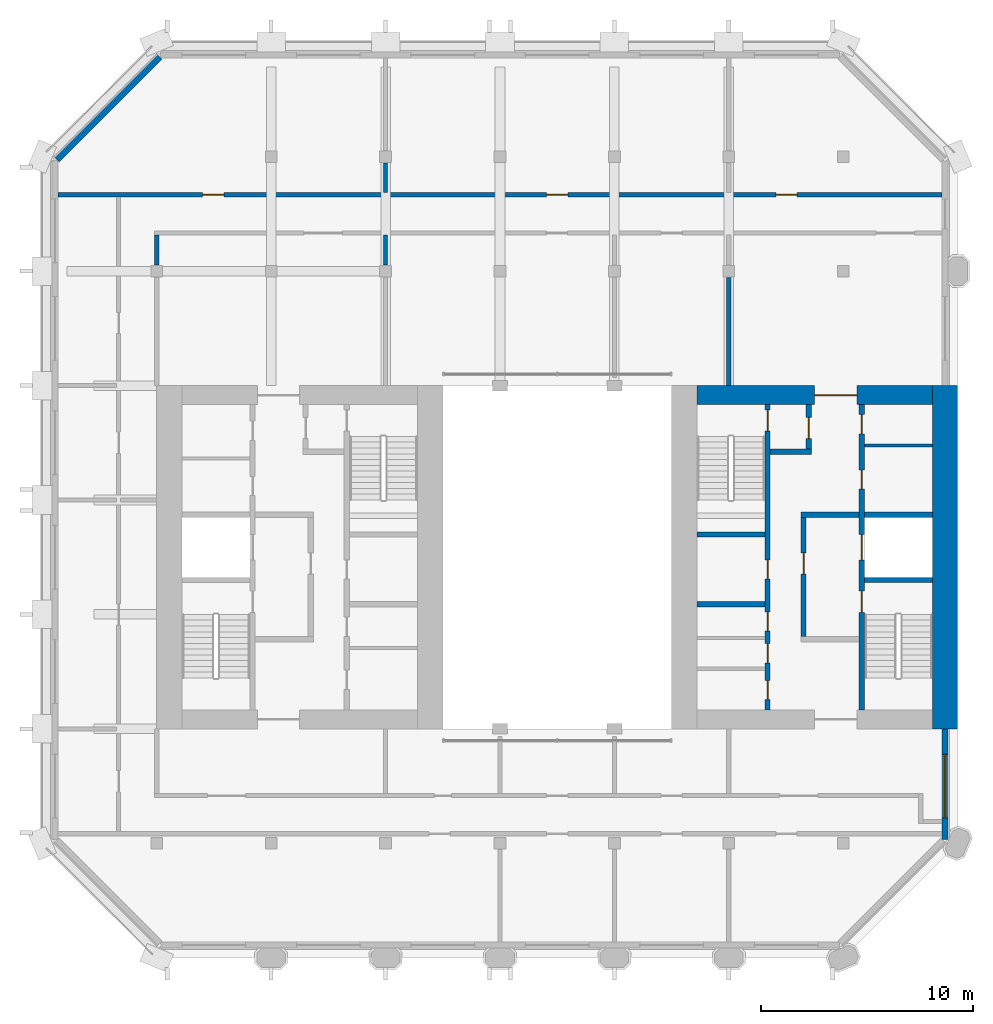
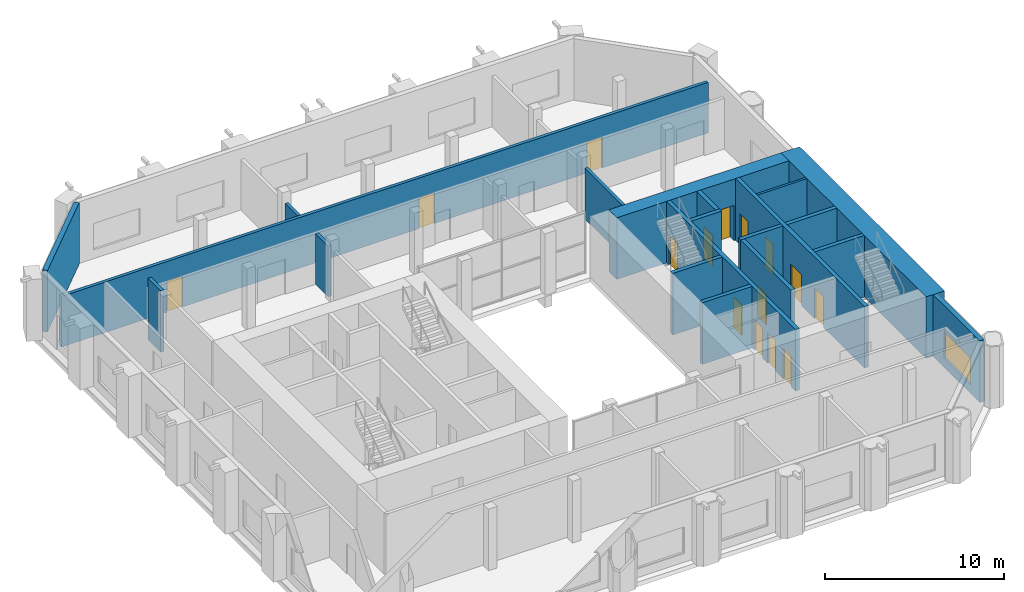
# One storey, part 8 of 12: 20 walls, 15 doors, 1 window, 16 openings.
"""IFC4 building model written with IfcOpenShell, lengths in metres."""

from ifc_helpers import new_model, si_unit, direction, frame, frame_2d, origin, place, context, subcontext, project, spatial, polyline, rectangle, outline, extrude, material, layer, layer_set, type_object, element, fill, save


model = new_model("IFC4")

# Units and contexts
model_context = context("Model", 3, precision=1e-05, world=origin(), true_north=direction((0.0, 1.0)))
body_context = subcontext(model_context, "Body", "Model", "MODEL_VIEW")
ifc_project = project(units=[si_unit("LENGTHUNIT", "METRE"), si_unit("AREAUNIT", "SQUARE_METRE"), si_unit("VOLUMEUNIT", "CUBIC_METRE"), si_unit("PLANEANGLEUNIT", "RADIAN"), si_unit("MASSUNIT", "GRAM", prefix="KILO")], contexts=[model_context])

# Site, building, storey
site_placement = place(None, origin())
site = spatial("IfcSite", under=ifc_project, at=site_placement, CompositionType="ELEMENT")
building_placement = place(site_placement, origin())
building = spatial("IfcBuilding", under=site, at=building_placement, Name="Tabaq Tower and Sports Hall", CompositionType="ELEMENT")
storey_placement = place(building_placement, frame((0.0, 0.0, 317.199951171875)))
storey = spatial("IfcBuildingStorey", under=building, at=storey_placement, Name="L79", CompositionType="ELEMENT", Elevation=317.199951171875)

# Walls
ifc_material_1 = material(Name="Blockwork", Category="masonry")
ifc_layer_1 = layer(ifc_material_1, 0.14990234375)
ifc_layer_set_1 = layer_set([ifc_layer_1], Name="Core room partition 150 Blockwork")
wall_type_1 = type_object("IfcWallType", Name="Core room partition 150 Blockwork", PredefinedType="PARTITIONING", material=ifc_layer_set_1)
wall_1_placement = place(storey_placement, frame((38.800048828125, 29.571044921875, 0.0), z_axis=(0.0, 0.0, 1.0), x_axis=(1.0, 0.0, 0.0)))
element("IfcWall", 1, at=wall_1_placement, inside=storey, type_object=wall_type_1, Name="Core room partition E L79", PredefinedType="PARTITIONING", context=body_context, shape_type="SweptSolid", body=[
    extrude(rectangle(XDim=3.199951171875, YDim=0.14990234375, at=frame_2d((1.60009765625, 0.0))), origin(), (0.0, 0.0, 1.0), 4.199951171875),
])
ifc_material_2 = material(Name="Concrete C40/50", Category="concrete")
ifc_layer_2 = layer(ifc_material_2, 1.199951171875)
ifc_layer_set_2 = layer_set([ifc_layer_2], Name="Core wall 1200 Concrete C40/50")
wall_type_2 = type_object("IfcWallType", Name="Core wall 1200 Concrete C40/50", PredefinedType="SOLIDWALL", material=ifc_layer_set_2)
wall_2_placement = place(storey_placement, frame((42.60009765625, 32.39990234375, 0.0), z_axis=(0.0, 0.0, 1.0), x_axis=(0.0, -1.0, 0.0)))
element("IfcWall", 2, at=wall_2_placement, inside=storey, type_object=wall_type_2, Name="Core wall E L79", PredefinedType="SOLIDWALL", context=body_context, shape_type="SweptSolid", body=[
    extrude(rectangle(XDim=16.199951171875, YDim=1.199951171875, at=frame_2d((8.10009765625, 0.0))), origin(), (0.0, 0.0, 1.0), 4.199951171875),
])

# Wall, opening, door
ifc_material_3 = material(Name="Concrete C40/50", Category="concrete")
ifc_layer_3 = layer(ifc_material_3, 0.89990234375)
ifc_layer_set_3 = layer_set([ifc_layer_3], Name="Core wall 900 Concrete C40/50")
wall_type_3 = type_object("IfcWallType", Name="Core wall 900 Concrete C40/50", PredefinedType="SOLIDWALL", material=ifc_layer_set_3)
wall_3_placement = place(storey_placement, frame((30.89990234375, 31.949951171875, 0.0), z_axis=(0.0, 0.0, 1.0), x_axis=(1.0, 0.0, 0.0)))
wall_3 = element("IfcWall", 3, at=wall_3_placement, inside=storey, type_object=wall_type_3, Name="Core wall E L79", PredefinedType="SOLIDWALL", context=body_context, shape_type="SweptSolid", body=[
    extrude(rectangle(XDim=11.10009765625, YDim=0.89990234375, at=frame_2d((5.550048828125, 0.0))), origin(), (0.0, 0.0, 1.0), 4.199951171875),
])
opening_1_placement = place(wall_3_placement, frame((5.550048828125, 0.0, 0.0)))
opening_1 = element("IfcOpeningElement", 4, at=opening_1_placement, cuts=wall_3, Name="Opening PD-EL79-02", PredefinedType="OPENING", context=body_context, shape_type="SweptSolid", body=[
    extrude(rectangle(XDim=2.0, YDim=2.39990234375, at=frame_2d((1.0, 1.199951171875))), frame((0.0, 0.449951171875, 0.0), z_axis=(0.0, -1.0, 0.0), x_axis=(1.0, 0.0, 0.0)), (0.0, 0.0, 1.0), 0.89990234375),
])
ifc_material_4 = material(Name="Steel fire door", Category="steel")
door_type_1 = type_object("IfcDoorType", Name="Core entrance door 2000", OperationType="DOUBLE_DOOR_SINGLE_SWING", PredefinedType="DOOR", material=ifc_material_4)
door_1_placement = place(opening_1_placement, origin())
door_1 = element("IfcDoor", 5, at=door_1_placement, inside=storey, type_object=door_type_1, Name="Core entrance north E L79", OperationType="DOUBLE_DOOR_SINGLE_SWING", OverallHeight=2.39990234375, OverallWidth=2.0, PredefinedType="DOOR", context=body_context, shape_type="SweptSolid", body=[
    extrude(rectangle(XDim=2.0, YDim=2.39990234375, at=frame_2d((1.0, 1.199951171875))), frame((0.0, 0.02490234375, 0.0), z_axis=(0.0, -1.0, 0.0), x_axis=(1.0, 0.0, 0.0)), (0.0, 0.0, 1.0), 0.050048828125),
])
fill(opening_1, door_1)

# Wall
ifc_material_5 = material(Name="Blockwork", Category="masonry")
ifc_layer_4 = layer(ifc_material_5, 0.199951171875)
ifc_layer_set_4 = layer_set([ifc_layer_4], Name="Fire compartment wall 200 Blockwork")
wall_type_4 = type_object("IfcWallType", Name="Fire compartment wall 200 Blockwork", PredefinedType="PARTITIONING", material=ifc_layer_set_4)
wall_4_placement = place(storey_placement, frame((16.199951171875, 42.905029296875, 0.0), z_axis=(0.0, 0.0, 1.0), x_axis=(0.0, -1.0, 0.0)))
element("IfcWall", 6, at=wall_4_placement, inside=storey, type_object=wall_type_4, Name="Compartment wall L79", PredefinedType="PARTITIONING", context=body_context, shape_type="SweptSolid", body=[
    extrude(rectangle(XDim=1.405029296875, YDim=0.199951171875, at=frame_2d((0.70263671875, 0.0))), origin(), (0.0, 0.0, 1.0), 3.449951171875),
])

# Wall, openings, doors
wall_5_placement = place(storey_placement, frame((42.448974609375, 41.39990234375, 0.0), z_axis=(0.0, 0.0, 1.0), x_axis=(-1.0, 0.0, 0.0)))
wall_5 = element("IfcWall", 7, at=wall_5_placement, inside=storey, type_object=wall_type_4, Name="Compartment wall L79", PredefinedType="PARTITIONING", context=body_context, shape_type="SweptSolid", body=[
    extrude(rectangle(XDim=41.697998046875, YDim=0.199951171875, at=frame_2d((20.84912109375, 0.0))), origin(), (0.0, 0.0, 1.0), 3.449951171875),
])
opening_2_placement = place(wall_5_placement, frame((6.83203125, 0.0, 0.0)))
opening_2 = element("IfcOpeningElement", 8, at=opening_2_placement, cuts=wall_5, Name="Opening L79-002", PredefinedType="OPENING", context=body_context, shape_type="SweptSolid", body=[
    extrude(rectangle(XDim=1.0, YDim=2.10009765625, at=frame_2d((0.5, 1.050048828125))), frame((0.0, 0.10009765625, 0.0), z_axis=(0.0, -1.0, 0.0), x_axis=(1.0, 0.0, 0.0)), (0.0, 0.0, 1.0), 0.199951171875),
])
opening_3_placement = place(wall_5_placement, frame((17.64892578125, 0.0, 0.0)))
opening_3 = element("IfcOpeningElement", 9, at=opening_3_placement, cuts=wall_5, Name="Opening L79-003", PredefinedType="OPENING", context=body_context, shape_type="SweptSolid", body=[
    extrude(rectangle(XDim=1.0, YDim=2.10009765625, at=frame_2d((0.5, 1.050048828125))), frame((0.0, 0.10009765625, 0.0), z_axis=(0.0, -1.0, 0.0), x_axis=(1.0, 0.0, 0.0)), (0.0, 0.0, 1.0), 0.199951171875),
])
opening_4_placement = place(wall_5_placement, frame((33.882080078125, 0.0, 0.0)))
opening_4 = element("IfcOpeningElement", 10, at=opening_4_placement, cuts=wall_5, Name="Opening L79-004", PredefinedType="OPENING", context=body_context, shape_type="SweptSolid", body=[
    extrude(rectangle(XDim=1.0, YDim=2.10009765625, at=frame_2d((0.5, 1.050048828125))), frame((0.0, 0.10009765625, 0.0), z_axis=(0.0, -1.0, 0.0), x_axis=(1.0, 0.0, 0.0)), (0.0, 0.0, 1.0), 0.199951171875),
])
ifc_material_6 = material(Name="Steel fire door", Category="steel")
door_type_2 = type_object("IfcDoorType", Name="Plant room door 1000 left hand", OperationType="SINGLE_SWING_LEFT", PredefinedType="DOOR", material=ifc_material_6)
door_2_placement = place(opening_3_placement, origin())
door_2 = element("IfcDoor", 11, at=door_2_placement, inside=storey, type_object=door_type_2, Name="Plant room door L79-003", OperationType="SINGLE_SWING_LEFT", OverallHeight=2.10009765625, OverallWidth=1.0, PredefinedType="DOOR", context=body_context, shape_type="SweptSolid", body=[
    extrude(rectangle(XDim=1.0, YDim=2.10009765625, at=frame_2d((0.5, 1.050048828125))), frame((0.0, 0.02490234375, 0.0), z_axis=(0.0, -1.0, 0.0), x_axis=(1.0, 0.0, 0.0)), (0.0, 0.0, 1.0), 0.050048828125),
])
fill(opening_3, door_2)
door_3_placement = place(opening_4_placement, origin())
door_3 = element("IfcDoor", 12, at=door_3_placement, inside=storey, type_object=door_type_2, Name="Plant room door L79-004", OperationType="SINGLE_SWING_LEFT", OverallHeight=2.10009765625, OverallWidth=1.0, PredefinedType="DOOR", context=body_context, shape_type="SweptSolid", body=[
    extrude(rectangle(XDim=1.0, YDim=2.10009765625, at=frame_2d((0.5, 1.050048828125))), frame((0.0, 0.02490234375, 0.0), z_axis=(0.0, -1.0, 0.0), x_axis=(1.0, 0.0, 0.0)), (0.0, 0.0, 1.0), 0.050048828125),
])
fill(opening_4, door_3)
ifc_material_7 = material(Name="Steel fire door", Category="steel")
door_type_3 = type_object("IfcDoorType", Name="Plant room door 1000 right hand", OperationType="SINGLE_SWING_RIGHT", PredefinedType="DOOR", material=ifc_material_7)
door_4_placement = place(opening_2_placement, origin())
door_4 = element("IfcDoor", 13, at=door_4_placement, inside=storey, type_object=door_type_3, Name="Plant room door L79-002", OperationType="SINGLE_SWING_RIGHT", OverallHeight=2.10009765625, OverallWidth=1.0, PredefinedType="DOOR", context=body_context, shape_type="SweptSolid", body=[
    extrude(rectangle(XDim=1.0, YDim=2.10009765625, at=frame_2d((0.5, 1.050048828125))), frame((0.0, 0.02490234375, 0.0), z_axis=(0.0, -1.0, 0.0), x_axis=(1.0, 0.0, 0.0)), (0.0, 0.0, 1.0), 0.050048828125),
])
fill(opening_2, door_4)

# Walls
wall_6_placement = place(storey_placement, frame((32.39990234375, 32.39990234375, 0.0), z_axis=(0.0, 0.0, 1.0), x_axis=(0.0, 1.0, 0.0)))
element("IfcWall", 14, at=wall_6_placement, inside=storey, type_object=wall_type_4, Name="Compartment wall L79", PredefinedType="PARTITIONING", context=body_context, shape_type="SweptSolid", body=[
    extrude(rectangle(XDim=5.10498046875, YDim=0.199951171875, at=frame_2d((2.552490234375, 0.0))), origin(), (0.0, 0.0, 1.0), 3.449951171875),
])
wall_7_placement = place(storey_placement, frame((16.199951171875, 39.5, 0.0), z_axis=(0.0, 0.0, 1.0), x_axis=(0.0, -1.0, 0.0)))
element("IfcWall", 15, at=wall_7_placement, inside=storey, type_object=wall_type_4, Name="Compartment wall L79", PredefinedType="PARTITIONING", context=body_context, shape_type="SweptSolid", body=[
    extrude(rectangle(XDim=1.405029296875, YDim=0.199951171875, at=frame_2d((0.70263671875, 0.0))), origin(), (0.0, 0.0, 1.0), 3.449951171875),
])
wall_8_placement = place(storey_placement, frame((5.39990234375, 39.5, 0.0), z_axis=(0.0, 0.0, 1.0), x_axis=(0.0, -1.0, 0.0)))
element("IfcWall", 16, at=wall_8_placement, inside=storey, type_object=wall_type_4, Name="Compartment wall L79", PredefinedType="PARTITIONING", context=body_context, shape_type="SweptSolid", body=[
    extrude(rectangle(XDim=1.405029296875, YDim=0.199951171875, at=frame_2d((0.70263671875, 0.0))), origin(), (0.0, 0.0, 1.0), 4.199951171875),
])

# Wall, openings, doors
ifc_material_8 = material(Name="Concrete C40/50", Category="concrete")
ifc_layer_5 = layer(ifc_material_8, 0.25)
ifc_layer_set_5 = layer_set([ifc_layer_5], Name="Shaft and stair wall 250 Concrete C40/50")
wall_type_5 = type_object("IfcWallType", Name="Shaft and stair wall 250 Concrete C40/50", PredefinedType="SOLIDWALL", material=ifc_layer_set_5)
wall_9_placement = place(storey_placement, frame((38.675048828125, 17.10009765625, 0.0), z_axis=(0.0, 0.0, 1.0), x_axis=(0.0, 1.0, 0.0)))
wall_9 = element("IfcWall", 17, at=wall_9_placement, inside=storey, type_object=wall_type_5, Name="Shaft wall E L79", PredefinedType="SOLIDWALL", context=body_context, shape_type="SweptSolid", body=[
    extrude(rectangle(XDim=14.39990234375, YDim=0.25, at=frame_2d((7.199951171875, 0.0))), origin(), (0.0, 0.0, 1.0), 4.199951171875),
])
opening_5_placement = place(wall_9_placement, frame((4.60009765625, 0.0, 0.0)))
opening_5 = element("IfcOpeningElement", 18, at=opening_5_placement, cuts=wall_9, Name="Opening SD-EL79-03", PredefinedType="OPENING", context=body_context, shape_type="SweptSolid", body=[
    extrude(rectangle(XDim=1.0, YDim=2.10009765625, at=frame_2d((0.5, 1.050048828125))), frame((0.0, 0.125, 0.0), z_axis=(0.0, -1.0, 0.0), x_axis=(1.0, 0.0, 0.0)), (0.0, 0.0, 1.0), 0.25),
])
opening_6_placement = place(wall_9_placement, frame((7.0625, 0.0, 0.0)))
opening_6 = element("IfcOpeningElement", 19, at=opening_6_placement, cuts=wall_9, Name="Opening LD-FF2-L79", PredefinedType="OPENING", context=body_context, shape_type="SweptSolid", body=[
    extrude(rectangle(XDim=1.199951171875, YDim=2.10009765625, at=frame_2d((0.60009765625, 1.050048828125))), frame((0.0, 0.125, 0.0), z_axis=(0.0, -1.0, 0.0), x_axis=(1.0, 0.0, 0.0)), (0.0, 0.0, 1.0), 0.25),
])
opening_7_placement = place(wall_9_placement, frame((10.410400390625, 0.0, 0.0)))
opening_7 = element("IfcOpeningElement", 20, at=opening_7_placement, cuts=wall_9, Name="Opening RD-EL79-08", PredefinedType="OPENING", context=body_context, shape_type="SweptSolid", body=[
    extrude(rectangle(XDim=0.89990234375, YDim=2.10009765625, at=frame_2d((0.449951171875, 1.050048828125))), frame((0.0, 0.125, 0.0), z_axis=(0.0, -1.0, 0.0), x_axis=(1.0, 0.0, 0.0)), (0.0, 0.0, 1.0), 0.25),
])
opening_8_placement = place(wall_9_placement, frame((13.02294921875, 0.0, 0.0)))
opening_8 = element("IfcOpeningElement", 21, at=opening_8_placement, cuts=wall_9, Name="Opening RD-EL79-09", PredefinedType="OPENING", context=body_context, shape_type="SweptSolid", body=[
    extrude(rectangle(XDim=0.89990234375, YDim=2.10009765625, at=frame_2d((0.449951171875, 1.050048828125))), frame((0.0, 0.125, 0.0), z_axis=(0.0, -1.0, 0.0), x_axis=(1.0, 0.0, 0.0)), (0.0, 0.0, 1.0), 0.25),
])
ifc_material_9 = material(Name="Steel fire door", Category="steel")
door_type_4 = type_object("IfcDoorType", Name="Core room door 900", OperationType="SINGLE_SWING_LEFT", PredefinedType="DOOR", material=ifc_material_9)
door_5_placement = place(opening_7_placement, origin())
door_5 = element("IfcDoor", 22, at=door_5_placement, inside=storey, type_object=door_type_4, Name="Door Electrical Room E L79", OperationType="SINGLE_SWING_LEFT", OverallHeight=2.10009765625, OverallWidth=0.89990234375, PredefinedType="DOOR", context=body_context, shape_type="SweptSolid", body=[
    extrude(rectangle(XDim=0.89990234375, YDim=2.10009765625, at=frame_2d((0.449951171875, 1.050048828125))), frame((0.0, 0.02490234375, 0.0), z_axis=(0.0, -1.0, 0.0), x_axis=(1.0, 0.0, 0.0)), (0.0, 0.0, 1.0), 0.050048828125),
])
fill(opening_7, door_5)
door_6_placement = place(opening_8_placement, origin())
door_6 = element("IfcDoor", 23, at=door_6_placement, inside=storey, type_object=door_type_4, Name="Door Comms Room E L79", OperationType="SINGLE_SWING_LEFT", OverallHeight=2.10009765625, OverallWidth=0.89990234375, PredefinedType="DOOR", context=body_context, shape_type="SweptSolid", body=[
    extrude(rectangle(XDim=0.89990234375, YDim=2.10009765625, at=frame_2d((0.449951171875, 1.050048828125))), frame((0.0, 0.02490234375, 0.0), z_axis=(0.0, -1.0, 0.0), x_axis=(1.0, 0.0, 0.0)), (0.0, 0.0, 1.0), 0.050048828125),
])
fill(opening_8, door_6)
ifc_material_10 = material(Name="Stainless steel", Category="steel")
door_type_5 = type_object("IfcDoorType", Name="Lift landing door 1200", OperationType="DOUBLE_DOOR_SLIDING", PredefinedType="DOOR", material=ifc_material_10)
door_7_placement = place(opening_6_placement, origin())
door_7 = element("IfcDoor", 24, at=door_7_placement, inside=storey, type_object=door_type_5, Name="Lift landing door FF2 E L79", OperationType="DOUBLE_DOOR_SLIDING", OverallHeight=2.10009765625, OverallWidth=1.199951171875, PredefinedType="DOOR", context=body_context, shape_type="SweptSolid", body=[
    extrude(rectangle(XDim=1.199951171875, YDim=2.10009765625, at=frame_2d((0.60009765625, 1.050048828125))), frame((0.0, 0.02490234375, 0.0), z_axis=(0.0, -1.0, 0.0), x_axis=(1.0, 0.0, 0.0)), (0.0, 0.0, 1.0), 0.050048828125),
])
fill(opening_6, door_7)
ifc_material_11 = material(Name="Steel fire door", Category="steel")
door_type_6 = type_object("IfcDoorType", Name="Stair door 1000", OperationType="SINGLE_SWING_LEFT", PredefinedType="DOOR", material=ifc_material_11)
door_8_placement = place(opening_5_placement, origin())
door_8 = element("IfcDoor", 25, at=door_8_placement, inside=storey, type_object=door_type_6, Name="Stair door ST3 E L79", OperationType="SINGLE_SWING_LEFT", OverallHeight=2.10009765625, OverallWidth=1.0, PredefinedType="DOOR", context=body_context, shape_type="SweptSolid", body=[
    extrude(rectangle(XDim=1.0, YDim=2.10009765625, at=frame_2d((0.5, 1.050048828125))), frame((0.0, 0.02490234375, 0.0), z_axis=(0.0, -1.0, 0.0), x_axis=(1.0, 0.0, 0.0)), (0.0, 0.0, 1.0), 0.050048828125),
])
fill(opening_5, door_8)

wall_10_placement = place(storey_placement, frame((34.22509765625, 17.10009765625, 0.0), z_axis=(0.0, 0.0, 1.0), x_axis=(0.0, 1.0, 0.0)))
wall_10 = element("IfcWall", 26, at=wall_10_placement, inside=storey, type_object=wall_type_5, Name="Shaft wall E L79", PredefinedType="SOLIDWALL", context=body_context, shape_type="SweptSolid", body=[
    extrude(rectangle(XDim=14.39990234375, YDim=0.25, at=frame_2d((7.199951171875, 0.0))), origin(), (0.0, 0.0, 1.0), 4.199951171875),
])
opening_9_placement = place(wall_10_placement, frame((13.14990234375, 0.0, 0.0)))
opening_9 = element("IfcOpeningElement", 27, at=opening_9_placement, cuts=wall_10, Name="Opening SD-EL79-05", PredefinedType="OPENING", context=body_context, shape_type="SweptSolid", body=[
    extrude(rectangle(XDim=1.0, YDim=2.10009765625, at=frame_2d((0.5, 1.050048828125))), frame((0.0, 0.125, 0.0), z_axis=(0.0, -1.0, 0.0), x_axis=(1.0, 0.0, 0.0)), (0.0, 0.0, 1.0), 0.25),
])
opening_10_placement = place(wall_10_placement, frame((0.482421875, 0.0, 0.0)))
opening_10 = element("IfcOpeningElement", 28, at=opening_10_placement, cuts=wall_10, Name="Opening RD-EL79-10", PredefinedType="OPENING", context=body_context, shape_type="SweptSolid", body=[
    extrude(rectangle(XDim=0.89990234375, YDim=2.10009765625, at=frame_2d((0.449951171875, 1.050048828125))), frame((0.0, 0.125, 0.0), z_axis=(0.0, -1.0, 0.0), x_axis=(1.0, 0.0, 0.0)), (0.0, 0.0, 1.0), 0.25),
])
opening_11_placement = place(wall_10_placement, frame((2.217529296875, 0.0, 0.0)))
opening_11 = element("IfcOpeningElement", 29, at=opening_11_placement, cuts=wall_10, Name="Opening RD-EL79-11", PredefinedType="OPENING", context=body_context, shape_type="SweptSolid", body=[
    extrude(rectangle(XDim=0.89990234375, YDim=2.10009765625, at=frame_2d((0.449951171875, 1.050048828125))), frame((0.0, 0.125, 0.0), z_axis=(0.0, -1.0, 0.0), x_axis=(1.0, 0.0, 0.0)), (0.0, 0.0, 1.0), 0.25),
])
opening_12_placement = place(wall_10_placement, frame((3.7099609375, 0.0, 0.0)))
opening_12 = element("IfcOpeningElement", 30, at=opening_12_placement, cuts=wall_10, Name="Opening RD-EL79-12", PredefinedType="OPENING", context=body_context, shape_type="SweptSolid", body=[
    extrude(rectangle(XDim=0.89990234375, YDim=2.10009765625, at=frame_2d((0.449951171875, 1.050048828125))), frame((0.0, 0.125, 0.0), z_axis=(0.0, -1.0, 0.0), x_axis=(1.0, 0.0, 0.0)), (0.0, 0.0, 1.0), 0.25),
])
opening_13_placement = place(wall_10_placement, frame((6.175048828125, 0.0, 0.0)))
opening_13 = element("IfcOpeningElement", 31, at=opening_13_placement, cuts=wall_10, Name="Opening RD-EL79-13", PredefinedType="OPENING", context=body_context, shape_type="SweptSolid", body=[
    extrude(rectangle(XDim=0.89990234375, YDim=2.10009765625, at=frame_2d((0.449951171875, 1.050048828125))), frame((0.0, 0.125, 0.0), z_axis=(0.0, -1.0, 0.0), x_axis=(1.0, 0.0, 0.0)), (0.0, 0.0, 1.0), 0.25),
])
door_9_placement = place(opening_10_placement, origin())
door_9 = element("IfcDoor", 32, at=door_9_placement, inside=storey, type_object=door_type_4, Name="Door Chiller Plant Room E L79", OperationType="SINGLE_SWING_LEFT", OverallHeight=2.10009765625, OverallWidth=0.89990234375, PredefinedType="DOOR", context=body_context, shape_type="SweptSolid", body=[
    extrude(rectangle(XDim=0.89990234375, YDim=2.10009765625, at=frame_2d((0.449951171875, 1.050048828125))), frame((0.0, 0.02490234375, 0.0), z_axis=(0.0, -1.0, 0.0), x_axis=(1.0, 0.0, 0.0)), (0.0, 0.0, 1.0), 0.050048828125),
])
fill(opening_10, door_9)
door_10_placement = place(opening_11_placement, origin())
door_10 = element("IfcDoor", 33, at=door_10_placement, inside=storey, type_object=door_type_4, Name="Door Pump Room E L79", OperationType="SINGLE_SWING_LEFT", OverallHeight=2.10009765625, OverallWidth=0.89990234375, PredefinedType="DOOR", context=body_context, shape_type="SweptSolid", body=[
    extrude(rectangle(XDim=0.89990234375, YDim=2.10009765625, at=frame_2d((0.449951171875, 1.050048828125))), frame((0.0, 0.02490234375, 0.0), z_axis=(0.0, -1.0, 0.0), x_axis=(1.0, 0.0, 0.0)), (0.0, 0.0, 1.0), 0.050048828125),
])
fill(opening_11, door_10)
door_11_placement = place(opening_12_placement, origin())
door_11 = element("IfcDoor", 34, at=door_11_placement, inside=storey, type_object=door_type_4, Name="Door Valve Room E L79", OperationType="SINGLE_SWING_LEFT", OverallHeight=2.10009765625, OverallWidth=0.89990234375, PredefinedType="DOOR", context=body_context, shape_type="SweptSolid", body=[
    extrude(rectangle(XDim=0.89990234375, YDim=2.10009765625, at=frame_2d((0.449951171875, 1.050048828125))), frame((0.0, 0.02490234375, 0.0), z_axis=(0.0, -1.0, 0.0), x_axis=(1.0, 0.0, 0.0)), (0.0, 0.0, 1.0), 0.050048828125),
])
fill(opening_12, door_11)
door_12_placement = place(opening_13_placement, origin())
door_12 = element("IfcDoor", 35, at=door_12_placement, inside=storey, type_object=door_type_4, Name="Door Riser Room E L79", OperationType="SINGLE_SWING_LEFT", OverallHeight=2.10009765625, OverallWidth=0.89990234375, PredefinedType="DOOR", context=body_context, shape_type="SweptSolid", body=[
    extrude(rectangle(XDim=0.89990234375, YDim=2.10009765625, at=frame_2d((0.449951171875, 1.050048828125))), frame((0.0, 0.02490234375, 0.0), z_axis=(0.0, -1.0, 0.0), x_axis=(1.0, 0.0, 0.0)), (0.0, 0.0, 1.0), 0.050048828125),
])
fill(opening_13, door_12)
door_13_placement = place(opening_9_placement, origin())
door_13 = element("IfcDoor", 36, at=door_13_placement, inside=storey, type_object=door_type_6, Name="Stair door ST4 E L79", OperationType="SINGLE_SWING_LEFT", OverallHeight=2.10009765625, OverallWidth=1.0, PredefinedType="DOOR", context=body_context, shape_type="SweptSolid", body=[
    extrude(rectangle(XDim=1.0, YDim=2.10009765625, at=frame_2d((0.5, 1.050048828125))), frame((0.0, 0.02490234375, 0.0), z_axis=(0.0, -1.0, 0.0), x_axis=(1.0, 0.0, 0.0)), (0.0, 0.0, 1.0), 0.050048828125),
])
fill(opening_9, door_13)

# Walls
wall_11_placement = place(storey_placement, frame((38.800048828125, 23.22509765625, 0.0), z_axis=(0.0, 0.0, 1.0), x_axis=(1.0, 0.0, 0.0)))
element("IfcWall", 37, at=wall_11_placement, inside=storey, type_object=wall_type_5, Name="Stair enclosure wall E L79", PredefinedType="SOLIDWALL", context=body_context, shape_type="SweptSolid", body=[
    extrude(rectangle(XDim=3.199951171875, YDim=0.25, at=frame_2d((1.60009765625, 0.0))), origin(), (0.0, 0.0, 1.0), 4.199951171875),
])
for number, where, z_axis, x_axis, name in (
    (38, (30.89990234375, 25.375, 0.0), (0.0, 0.0, 1.0), (1.0, 0.0, 0.0), "Stair enclosure wall E L79"),
    (39, (30.89990234375, 22.074951171875, 0.0), (0.0, 0.0, 1.0), (1.0, 0.0, 0.0), "Shaft wall E L79"),
):
    element("IfcWall", number, at=place(storey_placement, frame(where, z_axis=z_axis, x_axis=x_axis)), inside=storey, type_object=wall_type_5, Name=name, PredefinedType="SOLIDWALL", context=body_context, shape_type="SweptSolid", body=[
        extrude(rectangle(XDim=3.2001953125, YDim=0.25, at=frame_2d((1.60009765625, 0.0))), origin(), (0.0, 0.0, 1.0), 4.199951171875),
    ])
wall_12_placement = place(storey_placement, frame((38.800048828125, 26.300048828125, 0.0), z_axis=(0.0, 0.0, 1.0), x_axis=(1.0, 0.0, 0.0)))
element("IfcWall", 40, at=wall_12_placement, inside=storey, type_object=wall_type_5, Name="Shaft wall E L79", PredefinedType="SOLIDWALL", context=body_context, shape_type="SweptSolid", body=[
    extrude(rectangle(XDim=3.199951171875, YDim=0.25, at=frame_2d((1.60009765625, 0.0))), origin(), (0.0, 0.0, 1.0), 4.199951171875),
])
wall_13_placement = place(storey_placement, frame((35.800048828125, 26.300048828125, 0.0), z_axis=(0.0, 0.0, 1.0), x_axis=(1.0, 0.0, 0.0)))
element("IfcWall", 41, at=wall_13_placement, inside=storey, type_object=wall_type_5, Name="Fire-fighting lobby wall E L79", PredefinedType="SOLIDWALL", context=body_context, shape_type="SweptSolid", body=[
    extrude(rectangle(XDim=2.75, YDim=0.25, at=frame_2d((1.375, 0.0))), origin(), (0.0, 0.0, 1.0), 4.199951171875),
])

# Wall, opening, door
wall_14_placement = place(storey_placement, frame((36.175048828125, 29.39990234375, 0.0), z_axis=(0.0, 0.0, 1.0), x_axis=(0.0, 1.0, 0.0)))
wall_14 = element("IfcWall", 42, at=wall_14_placement, inside=storey, type_object=wall_type_5, Name="Fire-fighting lobby wall E L79", PredefinedType="SOLIDWALL", context=body_context, shape_type="SweptSolid", body=[
    extrude(rectangle(XDim=2.10009765625, YDim=0.25, at=frame_2d((1.050048828125, 0.0))), origin(), (0.0, 0.0, 1.0), 4.199951171875),
])
opening_14_placement = place(wall_14_placement, frame((0.5, 0.0, 0.0)))
opening_14 = element("IfcOpeningElement", 43, at=opening_14_placement, cuts=wall_14, Name="Opening FD-EL79-06", PredefinedType="OPENING", context=body_context, shape_type="SweptSolid", body=[
    extrude(rectangle(XDim=1.0, YDim=2.10009765625, at=frame_2d((0.5, 1.050048828125))), frame((0.0, 0.125, 0.0), z_axis=(0.0, -1.0, 0.0), x_axis=(1.0, 0.0, 0.0)), (0.0, 0.0, 1.0), 0.25),
])
ifc_material_12 = material(Name="Steel fire door", Category="steel")
door_type_7 = type_object("IfcDoorType", Name="Fire-fighting lobby door 1000", OperationType="SINGLE_SWING_LEFT", PredefinedType="DOOR", material=ifc_material_12)
door_14_placement = place(opening_14_placement, origin())
door_14 = element("IfcDoor", 44, at=door_14_placement, inside=storey, type_object=door_type_7, Name="Stair lobby door E L79", OperationType="SINGLE_SWING_LEFT", OverallHeight=2.10009765625, OverallWidth=1.0, PredefinedType="DOOR", context=body_context, shape_type="SweptSolid", body=[
    extrude(rectangle(XDim=1.0, YDim=2.10009765625, at=frame_2d((0.5, 1.050048828125))), frame((0.0, 0.02490234375, 0.0), z_axis=(0.0, -1.0, 0.0), x_axis=(1.0, 0.0, 0.0)), (0.0, 0.0, 1.0), 0.050048828125),
])
fill(opening_14, door_14)

# Wall
wall_15_placement = place(storey_placement, frame((34.35009765625, 29.27490234375, 0.0), z_axis=(0.0, 0.0, 1.0), x_axis=(1.0, 0.0, 0.0)))
element("IfcWall", 45, at=wall_15_placement, inside=storey, type_object=wall_type_5, Name="Fire-fighting lobby wall E L79", PredefinedType="SOLIDWALL", context=body_context, shape_type="SweptSolid", body=[
    extrude(rectangle(XDim=1.949951171875, YDim=0.25, at=frame_2d((0.97509765625, 0.0))), origin(), (0.0, 0.0, 1.0), 4.199951171875),
])

# Wall, opening, door
wall_16_placement = place(storey_placement, frame((35.925048828125, 20.550048828125, 0.0), z_axis=(0.0, 0.0, 1.0), x_axis=(0.0, 1.0, 0.0)))
wall_16 = element("IfcWall", 46, at=wall_16_placement, inside=storey, type_object=wall_type_5, Name="Fire-fighting lobby wall E L79", PredefinedType="SOLIDWALL", context=body_context, shape_type="SweptSolid", body=[
    extrude(rectangle(XDim=5.625, YDim=0.25, at=frame_2d((2.8125, 0.0))), origin(), (0.0, 0.0, 1.0), 4.199951171875),
])
opening_15_placement = place(wall_16_placement, frame((2.949951171875, 0.0, 0.0)))
opening_15 = element("IfcOpeningElement", 47, at=opening_15_placement, cuts=wall_16, Name="Opening FD-EL79-04", PredefinedType="OPENING", context=body_context, shape_type="SweptSolid", body=[
    extrude(rectangle(XDim=1.0, YDim=2.10009765625, at=frame_2d((0.5, 1.050048828125))), frame((0.0, 0.125, 0.0), z_axis=(0.0, -1.0, 0.0), x_axis=(1.0, 0.0, 0.0)), (0.0, 0.0, 1.0), 0.25),
])
door_15_placement = place(opening_15_placement, origin())
door_15 = element("IfcDoor", 48, at=door_15_placement, inside=storey, type_object=door_type_7, Name="Fire-fighting lobby door E L79", OperationType="SINGLE_SWING_LEFT", OverallHeight=2.10009765625, OverallWidth=1.0, PredefinedType="DOOR", context=body_context, shape_type="SweptSolid", body=[
    extrude(rectangle(XDim=1.0, YDim=2.10009765625, at=frame_2d((0.5, 1.050048828125))), frame((0.0, 0.02490234375, 0.0), z_axis=(0.0, -1.0, 0.0), x_axis=(1.0, 0.0, 0.0)), (0.0, 0.0, 1.0), 0.050048828125),
])
fill(opening_15, door_15)

# Wall, opening, window
ifc_material_13 = material(Name="White precast concrete C60/75", Category="concrete")
ifc_layer_6 = layer(ifc_material_13, 0.300048828125)
ifc_layer_set_6 = layer_set([ifc_layer_6], Name="White precast concrete C60/75 external wall 300")
wall_type_6 = type_object("IfcWallType", Name="White precast concrete C60/75 external wall 300", PredefinedType="SOLIDWALL", material=ifc_layer_set_6)
wall_17_placement = place(storey_placement, frame((42.60009765625, 10.986328125, 0.0), z_axis=(0.0, 0.0, 1.0), x_axis=(0.0, 1.0, 0.0)))
wall_17 = element("IfcWall", 49, at=wall_17_placement, inside=storey, type_object=wall_type_6, Name="External Wall L79 E", PredefinedType="SOLIDWALL", context=body_context, shape_type="SweptSolid", body=[
    extrude(outline(polyline([(0.0, 0.0), (5.213623046875, 0.0), (5.213623046875, 4.199951171875), (4.63427734375, 4.199951171875), (4.054931640625, 4.199951171875), (3.475830078125, 4.199951171875), (2.896484375, 4.199951171875), (2.317138671875, 4.199951171875), (1.73779296875, 4.199951171875), (1.15869140625, 4.199951171875), (0.579345703125, 4.199951171875), (0.0, 4.199951171875), (0.0, 0.0)])), frame((0.0, 0.14990234375, 0.0), z_axis=(0.0, -1.0, 0.0), x_axis=(1.0, 0.0, 0.0)), (0.0, 0.0, 1.0), 0.300048828125),
])
opening_16_placement = place(wall_17_placement, frame((1.013671875, 0.0, 0.60009765625)))
opening_16 = element("IfcOpeningElement", 50, at=opening_16_placement, cuts=wall_17, Name="Opening LV1", PredefinedType="OPENING", context=body_context, shape_type="SweptSolid", body=[
    extrude(rectangle(XDim=3.0, YDim=1.800048828125, at=frame_2d((1.5, 0.89990234375))), frame((0.0, 0.16015625, 0.0), z_axis=(0.0, -1.0, 0.0), x_axis=(1.0, 0.0, 0.0)), (0.0, 0.0, 1.0), 0.320068359375),
])
ifc_material_14 = material(Name="Aluminium alloy 6063-T6 louvre blades", Category="aluminium")
window_type = type_object("IfcWindowType", Name="Plant louvre LV1", PartitioningType="SINGLE_PANEL", PredefinedType="WINDOW", material=ifc_material_14)
window_placement = place(opening_16_placement, origin())
window = element("IfcWindow", 51, at=window_placement, inside=storey, type_object=window_type, Name="Plant louvre L79", OverallHeight=1.800048828125, OverallWidth=3.0, PartitioningType="SINGLE_PANEL", PredefinedType="WINDOW", context=body_context, shape_type="SweptSolid", body=[
    extrude(rectangle(XDim=3.0, YDim=1.800048828125, at=frame_2d((1.5, 0.89990234375))), frame((0.0, 0.030029296875, 0.0), z_axis=(0.0, -1.0, 0.0), x_axis=(1.0, 0.0, 0.0)), (0.0, 0.0, 1.0), 0.06005859375),
])
fill(opening_16, window)

# Wall
wall_18_placement = place(storey_placement, frame((5.549560546875, 47.901123046875, 0.0), z_axis=(0.0, 0.0, 1.0), x_axis=(-0.707106781187, -0.707106781187, 0.0)))
element("IfcWall", 52, at=wall_18_placement, inside=storey, type_object=wall_type_6, Name="External Wall L79 NW", PredefinedType="SOLIDWALL", context=body_context, shape_type="SweptSolid", body=[
    extrude(outline(polyline([(0.0, 0.0), (6.85986328125, 0.0), (6.859619140625, 4.199951171875), (6.2880859375, 4.199951171875), (5.71630859375, 4.199951171875), (5.144775390625, 4.199951171875), (4.5732421875, 4.199951171875), (4.00146484375, 4.199951171875), (3.429931640625, 4.199951171875), (2.858154296875, 4.199951171875), (2.28662109375, 4.199951171875), (1.71484375, 4.199951171875), (1.143310546875, 4.199951171875), (0.571533203125, 4.199951171875), (0.0, 4.199951171875), (0.0, 0.0)])), frame((0.0, 0.14990234375, 0.0), z_axis=(0.0, -1.0, 0.0), x_axis=(1.0, 0.0, 0.0)), (0.0, 0.0, 1.0), 0.300048828125),
])

save(model, "model.ifc")
